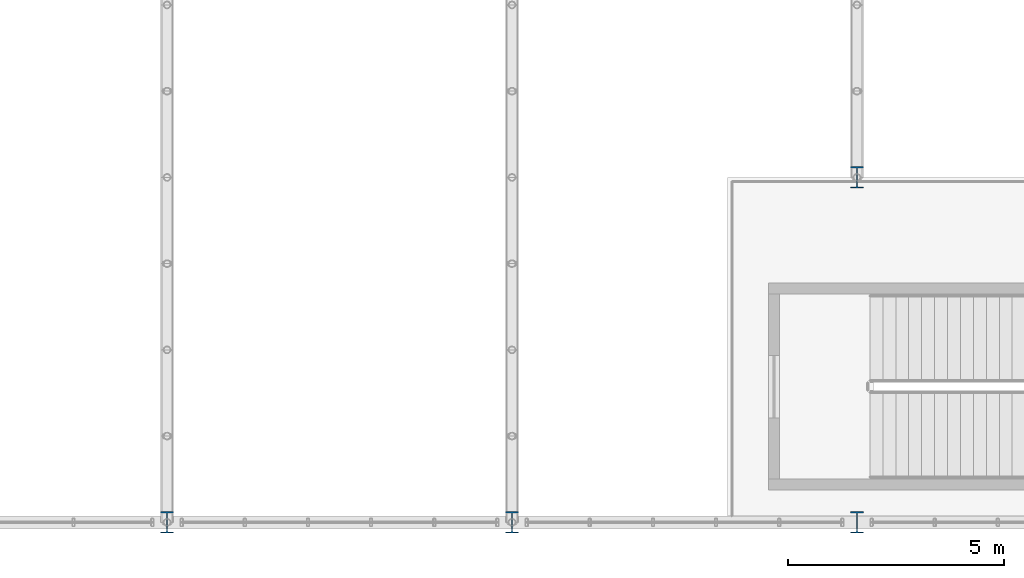
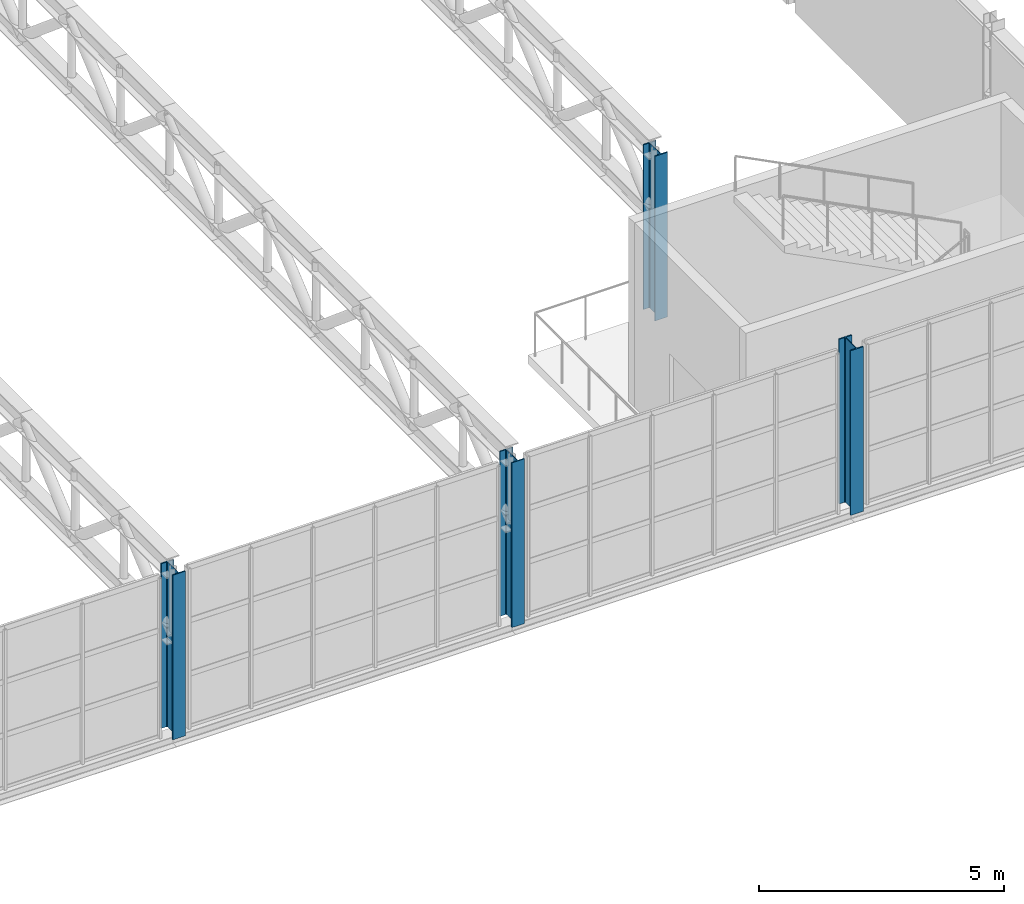
# One storey, part 2 of 67: 4 columns.
"""IFC4 building model written with IfcOpenShell, lengths in metres."""

from ifc_helpers import new_model, si_unit, derived_unit, direction, frame, origin, origin_2d, place, context, subcontext, project, spatial, i_section, extrude, material, material_profile, profile_set, type_object, element, save


model = new_model("IFC4")

# Units and contexts
model_context = context("Model", 3, precision=1e-05, world=origin(), true_north=direction((0.0, 1.0)))
body_context = subcontext(model_context, "Body", "Model", "MODEL_VIEW")
ifc_project = project(units=[si_unit("LENGTHUNIT", "METRE"), si_unit("AREAUNIT", "SQUARE_METRE"), si_unit("VOLUMEUNIT", "CUBIC_METRE"), si_unit("PLANEANGLEUNIT", "RADIAN"), si_unit("MASSUNIT", "GRAM", prefix="KILO"), derived_unit("THERMALTRANSMITTANCEUNIT", [(si_unit("POWERUNIT", "WATT"), 1), (si_unit("LENGTHUNIT", "METRE"), -2), (si_unit("THERMODYNAMICTEMPERATUREUNIT", "KELVIN"), -1)])], contexts=[model_context])

# Site, building, storey
site_placement = place(None, origin())
site = spatial("IfcSite", under=ifc_project, at=site_placement, CompositionType="ELEMENT")
building_placement = place(site_placement, origin())
building = spatial("IfcBuilding", under=site, at=building_placement, Name="Keldorne Ridge Multi-Sports Centre", CompositionType="ELEMENT")
storey_placement = place(building_placement, frame((0.0, 0.0, 14.0)))
storey = spatial("IfcBuildingStorey", under=building, at=storey_placement, Name="L03", CompositionType="ELEMENT", Elevation=14.0)

# Columns
ifc_material = material(Name="Steel S355", Category="steel")
ifc_material_profile = material_profile(ifc_material, i_section(OverallWidth=0.300048828125, OverallDepth=0.5, WebThickness=0.014404296875, FlangeThickness=0.028076171875, FilletRadius=0.027099609375, at=origin_2d()), Name="HEB 500")
ifc_profile_set = profile_set([ifc_material_profile], Name="Steel S355")
column_type = type_object("IfcColumnType", Name="COL-C-05", PredefinedType="COLUMN", material=ifc_profile_set)
for number, where, z_axis, x_axis, name in (
    (1, (144.0, 6.0, 0.0), (0.0, 0.0, 1.0), (1.0, 0.0, 0.0), "Structural column V2-TRUSS-S-06 on L03"),
    (2, (152.0, 6.0, 0.0), (0.0, 0.0, 1.0), (1.0, 0.0, 0.0), "Structural column V2-TRUSS-S-07 on L03"),
    (3, (160.0, 6.0, 0.0), (0.0, 0.0, 1.0), (1.0, 0.0, 0.0), "Structural column V2-TRUSS-S-08 on L03"),
    (4, (160.0, 14.0, 0.0), (0.0, 0.0, 1.0), (1.0, 0.0, 0.0), "Structural column V2-C5-ANCH on L03"),
):
    element("IfcColumn", number, at=place(storey_placement, frame(where, z_axis=z_axis, x_axis=x_axis)), inside=storey, type_object=column_type, Name=name, PredefinedType="COLUMN", context=body_context, shape_type="SweptSolid", body=[
        extrude(i_section(OverallWidth=0.300048828125, OverallDepth=0.5, WebThickness=0.014404296875, FlangeThickness=0.028076171875, FilletRadius=0.027099609375, at=origin_2d()), origin(), (0.0, 0.0, 1.0), 4.110107421875),
    ])

save(model, "model.ifc")
